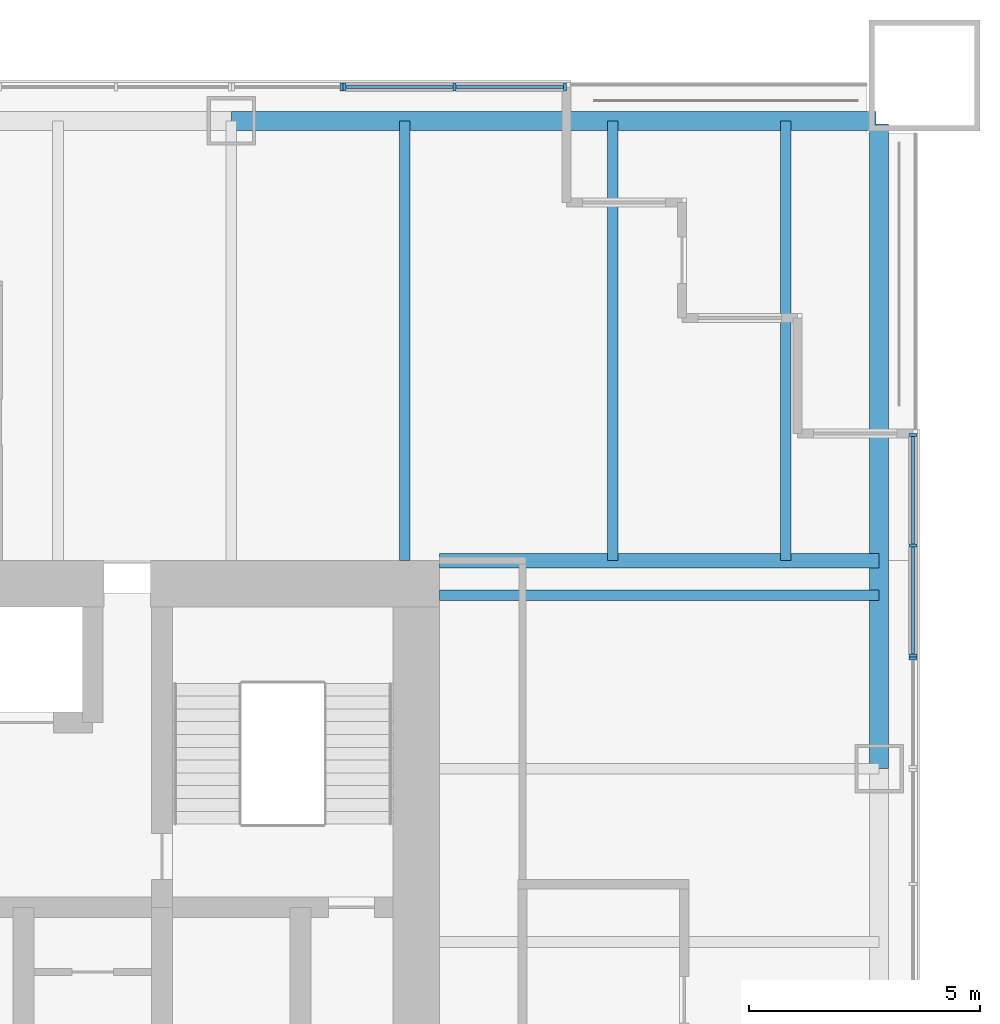
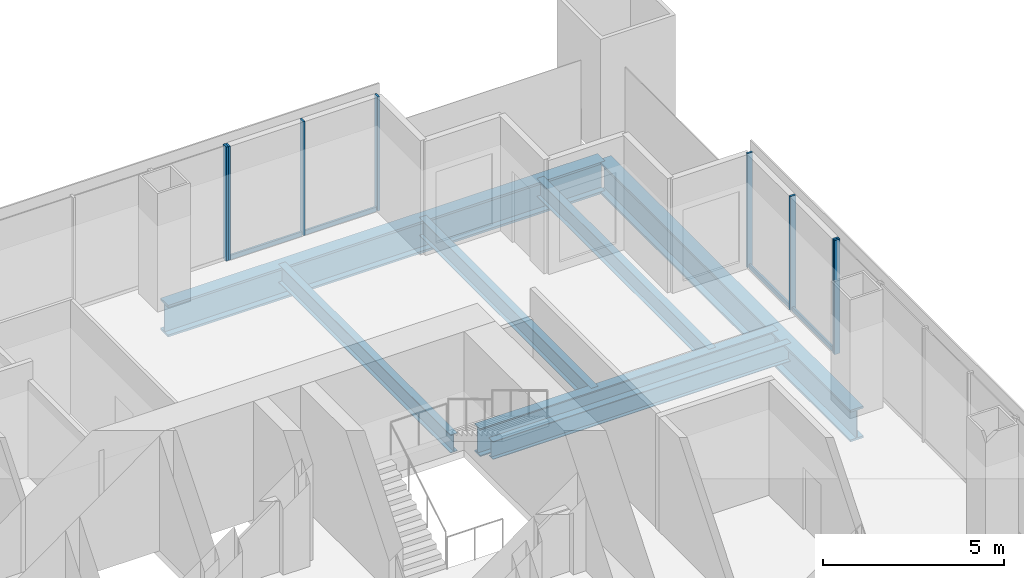
# One storey, part 6 of 13: 12 members, 7 beams, 4 elements without a shape of their own.
"""IFC4 building model written with IfcOpenShell, lengths in metres."""

import ifcopenshell
import ifcopenshell.guid

model = None  # the IFC model being written
_history = None  # IfcOwnerHistory: only IFC2X3 demands one
_inside = {}  # id of a spatial element -> (the spatial element, [elements in it])
_under = {}  # id of a project, library or spatial element -> (it, [spatial elements below it])
_declared = {}  # id of a project -> (the project, [libraries it declares])
_typed = {}  # id of a type object -> (the type object, [elements of that type])
_made_of = {}  # id of a material, layer set ... -> (it, [elements and type objects made of it])


def new_model(schema):
    """Start an empty IFC model of exactly this schema.

    Asked for "IFC4X3", IfcOpenShell would pick the latest addendum, in which some entities
    have other attributes; the version numbers below select the first issue.
    IFC2X3 requires an IfcOwnerHistory on every rooted entity: one is made here for all.
    """
    global model, _history
    if schema == "IFC4X3":
        model = ifcopenshell.file(schema_version=(4, 3, 0, 0))
    else:
        model = ifcopenshell.file(schema=schema)
    _inside.clear()
    _under.clear()
    _declared.clear()
    _typed.clear()
    _made_of.clear()
    _history = None
    if model.schema == "IFC2X3":
        org = make("IfcOrganization", Name="unknown")
        user = make(
            "IfcPersonAndOrganization",
            ThePerson=make("IfcPerson", FamilyName="unknown"),
            TheOrganization=org,
        )
        app = make(
            "IfcApplication",
            ApplicationDeveloper=org,
            Version="unknown",
            ApplicationFullName="unknown",
            ApplicationIdentifier="unknown",
        )
        _history = make(
            "IfcOwnerHistory",
            OwningUser=user,
            OwningApplication=app,
            ChangeAction="ADDED",
            CreationDate=0,
        )
    return model


def make(cls, **values):
    """One entity of the class cls with the attributes given. An attribute that is None is left unset."""
    return model.create_entity(
        cls, **{name: value for name, value in values.items() if value is not None}
    )


def rooted(cls, **values):
    """An entity with a GlobalId (a new one), such as an element, a storey or a relation."""
    return make(cls, GlobalId=ifcopenshell.guid.new(), OwnerHistory=_history, **values)


def si_unit(unit_type, name, prefix=None):
    """IfcSIUnit, for example si_unit("LENGTHUNIT", "METRE", prefix="MILLI")."""
    return make("IfcSIUnit", UnitType=unit_type, Prefix=prefix, Name=name)


def assignment(units):
    """IfcUnitAssignment: the units of a project."""
    return None if units is None else make("IfcUnitAssignment", Units=units)


def point(xyz):
    """IfcCartesianPoint."""
    return None if xyz is None else make("IfcCartesianPoint", Coordinates=xyz)


def direction(xyz):
    """IfcDirection."""
    return None if xyz is None else make("IfcDirection", DirectionRatios=xyz)


def frame(location, z_axis=None, x_axis=None):
    """IfcAxis2Placement3D, a coordinate frame: its origin and axes. An axis left out is left unset."""
    return make(
        "IfcAxis2Placement3D",
        Location=point(location),
        Axis=direction(z_axis),
        RefDirection=direction(x_axis),
    )


def frame_2d(location, x_axis=None):
    """IfcAxis2Placement2D, a coordinate frame in the plane: its origin and x axis."""
    return make(
        "IfcAxis2Placement2D", Location=point(location), RefDirection=direction(x_axis)
    )


def origin():
    """The frame at (0, 0, 0) with its axes left unset."""
    return frame((0.0, 0.0, 0.0))


def origin_2d():
    """The frame at (0, 0) in the plane with its x axis left unset."""
    return frame_2d((0.0, 0.0))


def place(relative_to, where):
    """IfcLocalPlacement: puts the frame where relative to a parent placement (None: the world)."""
    return make(
        "IfcLocalPlacement", PlacementRelTo=relative_to, RelativePlacement=where
    )


def context(
    kind, dimensions, precision=None, world=None, true_north=None, identifier=None
):
    """IfcGeometricRepresentationContext, for example the 3D "Model" context."""
    return make(
        "IfcGeometricRepresentationContext",
        ContextIdentifier=identifier,
        ContextType=kind,
        CoordinateSpaceDimension=dimensions,
        Precision=precision,
        WorldCoordinateSystem=world,
        TrueNorth=true_north,
    )


def subcontext(parent, identifier, kind, view, scale=None):
    """IfcGeometricRepresentationSubContext, for example "Body" below "Model"."""
    return make(
        "IfcGeometricRepresentationSubContext",
        ContextIdentifier=identifier,
        ContextType=kind,
        ParentContext=parent,
        TargetScale=scale,
        TargetView=view,
    )


def project(units=None, contexts=None):
    """IfcProject with its units and contexts."""
    return rooted(
        "IfcProject",
        Name="project",
        RepresentationContexts=contexts,
        UnitsInContext=assignment(units),
    )


def spatial(cls, under=None, at=None, **own):
    """A site, building, storey or space (cls), placed at a placement, below another one or the project."""
    s = rooted(cls, ObjectPlacement=at, **own)
    if under is not None:
        _under.setdefault(under.id(), (under, []))[1].append(s)
    return s


def profile(cls, at=None, kind="AREA", **sizes):
    """A parametric profile (cls). Its sizes go by their IFC names, for example OverallWidth=200.0."""
    return make(cls, ProfileType=kind, Position=at, **sizes)


def rectangle(**sizes):
    """IfcRectangleProfileDef."""
    return profile("IfcRectangleProfileDef", **sizes)


def i_section(**sizes):
    """IfcIShapeProfileDef."""
    return profile("IfcIShapeProfileDef", **sizes)


def extrude(swept, where, along, depth):
    """IfcExtrudedAreaSolid: the profile swept, set in the frame where, extruded along a direction by depth."""
    return make(
        "IfcExtrudedAreaSolid",
        SweptArea=swept,
        Position=where,
        ExtrudedDirection=direction(along),
        Depth=depth,
    )


def shape(context_of_items, identifier, shape_type, items):
    """IfcShapeRepresentation: the items that make up one representation, for example the "Body"."""
    return make(
        "IfcShapeRepresentation",
        ContextOfItems=context_of_items,
        RepresentationIdentifier=identifier,
        RepresentationType=shape_type,
        Items=items,
    )


def material(Name=None, Category=None):
    """IfcMaterial."""
    return make("IfcMaterial", Name=Name, Category=Category)


def material_profile(
    of_material, cross_section, Name=None, Category=None, Priority=None
):
    """IfcMaterialProfile: a cross section and its material."""
    return make(
        "IfcMaterialProfile",
        Name=Name,
        Material=of_material,
        Profile=cross_section,
        Priority=Priority,
        Category=Category,
    )


def profile_set(profiles, Name=None, composite=None):
    """IfcMaterialProfileSet."""
    return make(
        "IfcMaterialProfileSet",
        Name=Name,
        MaterialProfiles=profiles,
        CompositeProfile=composite,
    )


def made_of(thing, what):
    """Note that an element or type object is made of a material, layer set ...; save() writes the relation."""
    if what is not None:
        _made_of.setdefault(what.id(), (what, []))[1].append(thing)
    return thing


def type_object(cls, material=None, **own):
    """A type object (cls), such as IfcWallType, which elements share."""
    return made_of(rooted(cls, **own), material)


def element(
    cls,
    number,
    at=None,
    inside=None,
    cuts=None,
    type_object=None,
    material=None,
    context=None,
    identifier="Body",
    shape_type=None,
    held_by="IfcProductDefinitionShape",
    body=None,
    shapes=None,
    **own,
):
    """One element of the class cls, such as IfcWall. Its Tag is "e" and its number.

    at: its placement. inside: the storey or other place that contains it. cuts: it is an
    opening in that element (IfcRelVoidsElement). A single representation is given by context,
    identifier, shape_type and body (its items); several are given by shapes. held_by: the class
    of the entity that holds the representations. save() writes the other relations.
    """
    e = rooted(cls, Tag="e%d" % number, ObjectPlacement=at, **own)
    if body is not None:
        shapes = [shape(context, identifier, shape_type, body)]
    if shapes is not None:
        e.Representation = make(held_by, Representations=shapes)
    if inside is not None:
        _inside.setdefault(inside.id(), (inside, []))[1].append(e)
    if cuts is not None:
        rooted(
            "IfcRelVoidsElement", RelatingBuildingElement=cuts, RelatedOpeningElement=e
        )
    if type_object is not None:
        _typed.setdefault(type_object.id(), (type_object, []))[1].append(e)
    return made_of(e, material)


def aggregate(whole, parts):
    """IfcRelAggregates: a whole, such as a stair, and the parts it consists of."""
    return rooted("IfcRelAggregates", RelatingObject=whole, RelatedObjects=parts)


def save(model, path):
    """Write the relations noted so far, then the file.

    IfcRelAggregates (storeys below a building ...), IfcRelContainedInSpatialStructure (elements
    in a storey), IfcRelDefinesByType, IfcRelAssociatesMaterial and IfcRelDeclares: one each for
    every whole, place, type object, material and project.
    """
    for whole, parts in _under.values():
        aggregate(whole, parts)
    for where, things in _inside.values():
        rooted(
            "IfcRelContainedInSpatialStructure",
            RelatedElements=things,
            RelatingStructure=where,
        )
    for kind, things in _typed.values():
        rooted("IfcRelDefinesByType", RelatedObjects=things, RelatingType=kind)
    for what, things in _made_of.values():
        rooted("IfcRelAssociatesMaterial", RelatedObjects=things, RelatingMaterial=what)
    for by, libraries in _declared.values():
        rooted("IfcRelDeclares", RelatingContext=by, RelatedDefinitions=libraries)
    model.write(path)


model = new_model("IFC4")

# Units and contexts
model_context = context("Model", 3, precision=1e-05, world=origin(), true_north=direction((0.0, 1.0)))
body_context = subcontext(model_context, "Body", "Model", "MODEL_VIEW")
ifc_project = project(units=[si_unit("LENGTHUNIT", "METRE"), si_unit("AREAUNIT", "SQUARE_METRE"), si_unit("VOLUMEUNIT", "CUBIC_METRE"), si_unit("PLANEANGLEUNIT", "RADIAN"), si_unit("MASSUNIT", "GRAM", prefix="KILO")], contexts=[model_context])

# Site, building, storey
site_placement = place(None, origin())
site = spatial("IfcSite", under=ifc_project, at=site_placement, CompositionType="ELEMENT")
building_placement = place(site_placement, origin())
building = spatial("IfcBuilding", under=site, at=building_placement, Name="Tarangal Relay Tower", CompositionType="ELEMENT")
storey_placement = place(building_placement, frame((0.0, 0.0, 221.89990234375)))
storey = spatial("IfcBuildingStorey", under=building, at=storey_placement, Name="L47", CompositionType="ELEMENT", Elevation=221.89990234375)

# Beams
ifc_material_1 = material(Name="Steel ASTM A992", Category="steel")
ifc_material_profile_1 = material_profile(ifc_material_1, i_section(OverallWidth=0.227783203125, OverallDepth=0.60205078125, WebThickness=0.010498046875, FlangeThickness=0.014892578125, at=origin_2d()), Name="W24X68")
ifc_profile_set_1 = profile_set([ifc_material_profile_1], Name="Steel ASTM A992")
beam_type_1 = type_object("IfcBeamType", Name="Corner beam W24X68", PredefinedType="JOIST", material=ifc_profile_set_1)
for number, where, z_axis, x_axis, name in (
    (1, (15.75, 12.0, -0.450927734375), (0.0, 1.0, 0.0), (-1.0, 0.0, 0.0), "Corner beam CB11 N L47"),
    (2, (19.5, 12.0, -0.450927734375), (0.0, 1.0, 0.0), (-1.0, 0.0, 0.0), "Corner beam CB11 N L47"),
):
    element("IfcBeam", number, at=place(storey_placement, frame(where, z_axis=z_axis, x_axis=x_axis)), inside=storey, type_object=beam_type_1, Name=name, PredefinedType="JOIST", context=body_context, shape_type="SweptSolid", body=[
        extrude(i_section(OverallWidth=0.227783203125, OverallDepth=0.60205078125, WebThickness=0.010498046875, FlangeThickness=0.014892578125, at=origin_2d()), origin(), (0.0, 0.0, 1.0), 9.514892578125),
    ])
ifc_material_profile_2 = material_profile(ifc_material_1, i_section(OverallWidth=0.307373046875, OverallDepth=0.9423828125, WebThickness=0.022216796875, FlangeThickness=0.039794921875, at=origin_2d()), Name="W36X232")
ifc_profile_set_2 = profile_set([ifc_material_profile_2], Name="Steel ASTM A992")
beam_type_2 = type_object("IfcBeamType", Name="Corner girder W36X232", PredefinedType="BEAM", material=ifc_profile_set_2)
beam_placement = place(storey_placement, frame((12.0, 12.0, -0.62109375), z_axis=(1.0, 0.0, 0.0), x_axis=(0.0, 1.0, 0.0)))
element("IfcBeam", 3, at=beam_placement, inside=storey, type_object=beam_type_2, Name="Corner girder CG4 N L47", PredefinedType="BEAM", context=body_context, shape_type="SweptSolid", body=[
    extrude(i_section(OverallWidth=0.307373046875, OverallDepth=0.9423828125, WebThickness=0.022216796875, FlangeThickness=0.039794921875, at=origin_2d()), origin(), (0.0, 0.0, 1.0), 9.514892578125),
])
ifc_material_profile_3 = material_profile(ifc_material_1, i_section(OverallWidth=0.41650390625, OverallDepth=1.0693359375, WebThickness=0.0390625, FlangeThickness=0.070068359375, at=origin_2d()), Name="W40X503")
ifc_profile_set_3 = profile_set([ifc_material_profile_3], Name="Steel ASTM A992")
beam_type_3 = type_object("IfcBeamType", Name="Edge girder W40X503", PredefinedType="SPANDREL", material=ifc_profile_set_3)
for number, where, z_axis, x_axis, name in (
    (4, (7.5, 21.514892578125, -0.6845703125), (1.0, 0.0, 0.0), (0.0, 1.0, 0.0), "Edge girder EG8 N L47"),
    (5, (21.514892578125, 21.449951171875, -0.6845703125), (0.0, -1.0, 0.0), (1.0, 0.0, 0.0), "Edge girder EG8 E L47"),
):
    element("IfcBeam", number, at=place(storey_placement, frame(where, z_axis=z_axis, x_axis=x_axis)), inside=storey, type_object=beam_type_3, Name=name, PredefinedType="SPANDREL", context=body_context, shape_type="SweptSolid", body=[
        extrude(i_section(OverallWidth=0.41650390625, OverallDepth=1.0693359375, WebThickness=0.0390625, FlangeThickness=0.070068359375, at=origin_2d()), origin(), (0.0, 0.0, 1.0), 13.949951171875),
    ])
ifc_material_profile_4 = material_profile(ifc_material_1, i_section(OverallWidth=0.22900390625, OverallDepth=0.612060546875, WebThickness=0.011962890625, FlangeThickness=0.01953125, at=origin_2d()), Name="W24X84")
ifc_profile_set_4 = profile_set([ifc_material_profile_4], Name="Steel ASTM A992")
beam_type_4 = type_object("IfcBeamType", Name="Floor beam W24X84", PredefinedType="BEAM", material=ifc_profile_set_4)
for number, where, z_axis, x_axis, name in (
    (6, (11.25, 12.0, -0.455810546875), (0.0, 1.0, 0.0), (-1.0, 0.0, 0.0), "Floor beam RB12 N L47"),
    (7, (12.0, 11.25, -0.455810546875), (1.0, 0.0, 0.0), (0.0, 1.0, 0.0), "Floor beam RB12 E L47"),
):
    element("IfcBeam", number, at=place(storey_placement, frame(where, z_axis=z_axis, x_axis=x_axis)), inside=storey, type_object=beam_type_4, Name=name, PredefinedType="BEAM", context=body_context, shape_type="SweptSolid", body=[
        extrude(i_section(OverallWidth=0.22900390625, OverallDepth=0.612060546875, WebThickness=0.011962890625, FlangeThickness=0.01953125, at=origin_2d()), origin(), (0.0, 0.0, 1.0), 9.514892578125),
    ])

# Curtain wall, member
ifc_material_2 = material(Name="Unitised curtain wall, dark glass and black aluminium", Category="aluminium")
curtain_wall_type_1 = type_object("IfcCurtainWallType", Name="Curtain wall CW-A", PredefinedType="USERDEFINED", material=ifc_material_2)
curtain_wall_1_placement = place(storey_placement, origin())
curtain_wall_1 = element("IfcCurtainWall", 8, at=curtain_wall_1_placement, inside=storey, type_object=curtain_wall_type_1, Name="Curtain wall CW-A N facade L47", ObjectType="UNITISED CURTAIN WALL", PredefinedType="USERDEFINED")
ifc_material_3 = material(Name="Black anodised aluminium mullion", Category="aluminium")
ifc_material_profile_5 = material_profile(ifc_material_3, rectangle(XDim=0.175048828125, YDim=0.06494140625, at=origin_2d()), Name="CW-AM 65X175")
ifc_profile_set_5 = profile_set([ifc_material_profile_5], Name="Black anodised aluminium mullion")
member_type_1 = type_object("IfcMemberType", Name="Mullion CW-A 65 x 175", PredefinedType="MULLION", material=ifc_profile_set_5)
member_1_placement = place(storey_placement, frame((9.88427734375, 22.25, 0.0), z_axis=(0.0, 0.0, 1.0), x_axis=(0.0, 1.0, 0.0)))
member_1 = element("IfcMember", 9, at=member_1_placement, type_object=member_type_1, Name="CW-A mullion 2", PredefinedType="MULLION", context=body_context, shape_type="SweptSolid", body=[
    extrude(rectangle(XDim=0.175048828125, YDim=0.06494140625, at=origin_2d()), origin(), (0.0, 0.0, 1.0), 3.85009765625),
])
aggregate(curtain_wall_1, [member_1])

curtain_wall_2_placement = place(storey_placement, origin())
curtain_wall_2 = element("IfcCurtainWall", 10, at=curtain_wall_2_placement, inside=storey, type_object=curtain_wall_type_1, Name="Curtain wall CW-A E facade L47", ObjectType="UNITISED CURTAIN WALL", PredefinedType="USERDEFINED")
member_2_placement = place(storey_placement, frame((22.25, 9.88427734375, 0.0), z_axis=(0.0, 0.0, 1.0), x_axis=(1.0, 0.0, 0.0)))
member_2 = element("IfcMember", 11, at=member_2_placement, type_object=member_type_1, Name="CW-A mullion 1", PredefinedType="MULLION", context=body_context, shape_type="SweptSolid", body=[
    extrude(rectangle(XDim=0.175048828125, YDim=0.06494140625, at=origin_2d()), origin(), (0.0, 0.0, 1.0), 3.85009765625),
])
aggregate(curtain_wall_2, [member_2])

# Curtain wall, members
ifc_material_4 = material(Name="Unitised curtain wall frame, black aluminium, with metal clad infill walls", Category="aluminium")
curtain_wall_type_2 = type_object("IfcCurtainWallType", Name="Curtain wall CW-AO", PredefinedType="USERDEFINED", material=ifc_material_4)
curtain_wall_3_placement = place(storey_placement, origin())
curtain_wall_3 = element("IfcCurtainWall", 12, at=curtain_wall_3_placement, inside=storey, type_object=curtain_wall_type_2, Name="Curtain wall CW-AO N facade L47", ObjectType="UNITISED CURTAIN WALL", PredefinedType="USERDEFINED")
ifc_material_profile_6 = material_profile(ifc_material_3, rectangle(XDim=0.175048828125, YDim=0.06494140625, at=origin_2d()), Name="CW-AOM 65X175")
ifc_profile_set_6 = profile_set([ifc_material_profile_6], Name="Black anodised aluminium mullion")
member_type_2 = type_object("IfcMemberType", Name="Mullion CW-AO 65 x 175", PredefinedType="MULLION", material=ifc_profile_set_6)
member_3_placement = place(storey_placement, frame((9.94921875, 22.25, 0.0), z_axis=(0.0, 0.0, 1.0), x_axis=(0.0, 1.0, 0.0)))
member_3 = element("IfcMember", 13, at=member_3_placement, type_object=member_type_2, Name="CW-AO mullion 1", PredefinedType="MULLION", context=body_context, shape_type="SweptSolid", body=[
    extrude(rectangle(XDim=0.175048828125, YDim=0.06494140625, at=origin_2d()), origin(), (0.0, 0.0, 1.0), 3.85009765625),
])
member_4_placement = place(storey_placement, frame((12.333251953125, 22.25, 0.0), z_axis=(0.0, 0.0, 1.0), x_axis=(0.0, 1.0, 0.0)))
member_4 = element("IfcMember", 14, at=member_4_placement, type_object=member_type_2, Name="CW-AO mullion 2", PredefinedType="MULLION", context=body_context, shape_type="SweptSolid", body=[
    extrude(rectangle(XDim=0.175048828125, YDim=0.06494140625, at=origin_2d()), origin(), (0.0, 0.0, 1.0), 3.85009765625),
])
member_5_placement = place(storey_placement, frame((14.717529296875, 22.25, 0.0), z_axis=(0.0, 0.0, 1.0), x_axis=(0.0, 1.0, 0.0)))
member_5 = element("IfcMember", 15, at=member_5_placement, type_object=member_type_2, Name="CW-AO mullion 3", PredefinedType="MULLION", context=body_context, shape_type="SweptSolid", body=[
    extrude(rectangle(XDim=0.175048828125, YDim=0.06494140625, at=origin_2d()), origin(), (0.0, 0.0, 1.0), 3.85009765625),
])

curtain_wall_4_placement = place(storey_placement, origin())
curtain_wall_4 = element("IfcCurtainWall", 16, at=curtain_wall_4_placement, inside=storey, type_object=curtain_wall_type_2, Name="Curtain wall CW-AO E facade L47", ObjectType="UNITISED CURTAIN WALL", PredefinedType="USERDEFINED")
member_6_placement = place(storey_placement, frame((22.25, 14.717529296875, 0.0), z_axis=(0.0, 0.0, 1.0), x_axis=(1.0, 0.0, 0.0)))
member_6 = element("IfcMember", 17, at=member_6_placement, type_object=member_type_2, Name="CW-AO mullion 1", PredefinedType="MULLION", context=body_context, shape_type="SweptSolid", body=[
    extrude(rectangle(XDim=0.175048828125, YDim=0.06494140625, at=origin_2d()), origin(), (0.0, 0.0, 1.0), 3.85009765625),
])
member_7_placement = place(storey_placement, frame((22.25, 12.333251953125, 0.0), z_axis=(0.0, 0.0, 1.0), x_axis=(1.0, 0.0, 0.0)))
member_7 = element("IfcMember", 18, at=member_7_placement, type_object=member_type_2, Name="CW-AO mullion 2", PredefinedType="MULLION", context=body_context, shape_type="SweptSolid", body=[
    extrude(rectangle(XDim=0.175048828125, YDim=0.06494140625, at=origin_2d()), origin(), (0.0, 0.0, 1.0), 3.85009765625),
])
member_8_placement = place(storey_placement, frame((22.25, 9.94921875, 0.0), z_axis=(0.0, 0.0, 1.0), x_axis=(1.0, 0.0, 0.0)))
member_8 = element("IfcMember", 19, at=member_8_placement, type_object=member_type_2, Name="CW-AO mullion 3", PredefinedType="MULLION", context=body_context, shape_type="SweptSolid", body=[
    extrude(rectangle(XDim=0.175048828125, YDim=0.06494140625, at=origin_2d()), origin(), (0.0, 0.0, 1.0), 3.85009765625),
])

# Member
ifc_material_5 = material(Name="Black anodised aluminium transom", Category="aluminium")
ifc_material_profile_7 = material_profile(ifc_material_5, rectangle(XDim=0.06494140625, YDim=0.14990234375, at=origin_2d()), Name="CW-AOT 65X150")
ifc_profile_set_7 = profile_set([ifc_material_profile_7], Name="Black anodised aluminium transom")
member_type_3 = type_object("IfcMemberType", Name="Transom CW-AO 65 x 150", PredefinedType="USERDEFINED", material=ifc_profile_set_7)
member_9_placement = place(storey_placement, frame((9.981689453125, 22.25, 0.03271484375), z_axis=(1.0, 0.0, 0.0), x_axis=(0.0, 1.0, 0.0)))
member_9 = element("IfcMember", 20, at=member_9_placement, type_object=member_type_3, Name="CW-AO transom 1.1", ObjectType="TRANSOM", PredefinedType="USERDEFINED", context=body_context, shape_type="SweptSolid", body=[
    extrude(rectangle(XDim=0.06494140625, YDim=0.14990234375, at=origin_2d()), origin(), (0.0, 0.0, 1.0), 2.319091796875),
])

member_10_placement = place(storey_placement, frame((12.365966796875, 22.25, 0.03271484375), z_axis=(1.0, 0.0, 0.0), x_axis=(0.0, 1.0, 0.0)))
member_10 = element("IfcMember", 21, at=member_10_placement, type_object=member_type_3, Name="CW-AO transom 2.1", ObjectType="TRANSOM", PredefinedType="USERDEFINED", context=body_context, shape_type="SweptSolid", body=[
    extrude(rectangle(XDim=0.06494140625, YDim=0.14990234375, at=origin_2d()), origin(), (0.0, 0.0, 1.0), 2.319091796875),
])

aggregate(curtain_wall_3, [member_3, member_4, member_5, member_9, member_10])

member_11_placement = place(storey_placement, frame((22.25, 14.68505859375, 0.03271484375), z_axis=(0.0, -1.0, 0.0), x_axis=(1.0, 0.0, 0.0)))
member_11 = element("IfcMember", 22, at=member_11_placement, type_object=member_type_3, Name="CW-AO transom 1.1", ObjectType="TRANSOM", PredefinedType="USERDEFINED", context=body_context, shape_type="SweptSolid", body=[
    extrude(rectangle(XDim=0.06494140625, YDim=0.14990234375, at=origin_2d()), origin(), (0.0, 0.0, 1.0), 2.319091796875),
])

member_12_placement = place(storey_placement, frame((22.25, 12.30078125, 0.03271484375), z_axis=(0.0, -1.0, 0.0), x_axis=(1.0, 0.0, 0.0)))
member_12 = element("IfcMember", 23, at=member_12_placement, type_object=member_type_3, Name="CW-AO transom 2.1", ObjectType="TRANSOM", PredefinedType="USERDEFINED", context=body_context, shape_type="SweptSolid", body=[
    extrude(rectangle(XDim=0.06494140625, YDim=0.14990234375, at=origin_2d()), origin(), (0.0, 0.0, 1.0), 2.319091796875),
])

aggregate(curtain_wall_4, [member_6, member_7, member_8, member_11, member_12])

save(model, "model.ifc")
